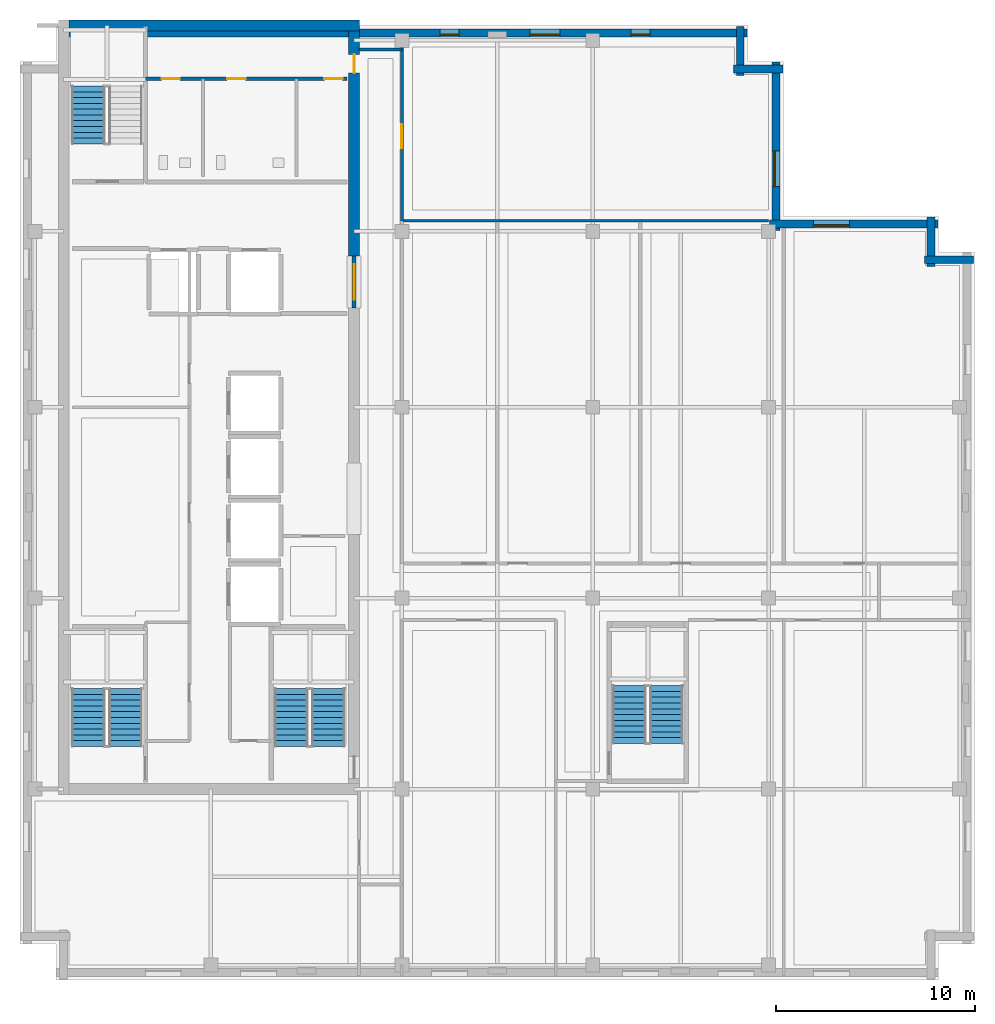
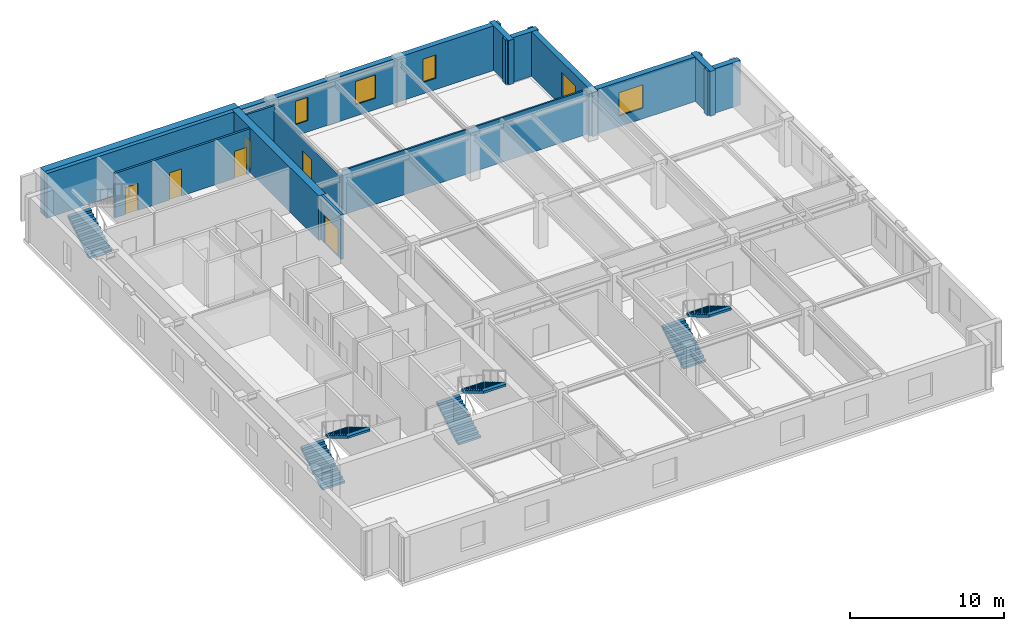
# One storey, part 6 of 11: 14 walls, 7 stair flights, 6 doors, 5 windows, 11 openings, 4 elements without a shape of their own.
"""IFC4 building model written with IfcOpenShell, lengths in metres."""

from ifc_helpers import new_model, si_unit, direction, frame, frame_2d, origin, place, context, subcontext, project, spatial, polyline, rectangle, outline, extrude, material, layer, layer_set, type_object, element, fill, aggregate, save


model = new_model("IFC4")

# Units and contexts
model_context = context("Model", 3, precision=1e-05, world=origin(), true_north=direction((0.0, 1.0)))
body_context = subcontext(model_context, "Body", "Model", "MODEL_VIEW")
ifc_project = project(units=[si_unit("LENGTHUNIT", "METRE"), si_unit("AREAUNIT", "SQUARE_METRE"), si_unit("VOLUMEUNIT", "CUBIC_METRE"), si_unit("PLANEANGLEUNIT", "RADIAN"), si_unit("MASSUNIT", "GRAM", prefix="KILO")], contexts=[model_context])

# Site, building, storey
site_placement = place(None, origin())
site = spatial("IfcSite", under=ifc_project, at=site_placement, CompositionType="ELEMENT")
building_placement = place(site_placement, origin())
building = spatial("IfcBuilding", under=site, at=building_placement, Name="Norrvale University Quadrangle", CompositionType="ELEMENT")
storey_placement = place(building_placement, frame((0.0, 0.0, 284.800048828125)))
storey = spatial("IfcBuildingStorey", under=building, at=storey_placement, Name="L72", CompositionType="ELEMENT", Elevation=284.800048828125)

# Wall
ifc_material_1 = material(Name="Concrete C60/75", Category="concrete")
ifc_layer_1 = layer(ifc_material_1, 0.550048828125, Name="Concrete C60/75")
ifc_layer_set_1 = layer_set([ifc_layer_1], Name="Concrete C60/75")
wall_type_1 = type_object("IfcWallType", Name="Wall Core 550", PredefinedType="SHEAR", material=ifc_layer_set_1)
wall_1_placement = place(storey_placement, frame((2.47509765625, 48.0, 0.0), z_axis=(0.0, 0.0, 1.0), x_axis=(1.0, 0.0, 0.0)))
element("IfcWall", 1, at=wall_1_placement, inside=storey, type_object=wall_type_1, Name="Tower Core Shear Wall L72-N", PredefinedType="SHEAR", context=body_context, shape_type="SweptSolid", body=[
    extrude(rectangle(XDim=14.599853515625, YDim=0.550048828125, at=frame_2d((7.2998046875, 0.0))), origin(), (0.0, 0.0, 1.0), 3.5400390625),
])

# Wall, opening, door
wall_2_placement = place(storey_placement, frame((16.800048828125, 36.39990234375, 0.0), z_axis=(0.0, 0.0, 1.0), x_axis=(0.0, 1.0, 0.0)))
wall_2 = element("IfcWall", 2, at=wall_2_placement, inside=storey, type_object=wall_type_1, Name="Tower Core Shear Wall L72-E3", PredefinedType="SHEAR", context=body_context, shape_type="SweptSolid", body=[
    extrude(rectangle(XDim=11.3251953125, YDim=0.550048828125, at=frame_2d((5.66259765625, 0.0))), origin(), (0.0, 0.0, 1.0), 3.5400390625),
])
opening_1_placement = place(wall_2_placement, frame((9.199951171875, 0.0, 0.0)))
opening_1 = element("IfcOpeningElement", 3, at=opening_1_placement, cuts=wall_2, Name="Opening D07", PredefinedType="OPENING", context=body_context, shape_type="SweptSolid", body=[
    extrude(rectangle(XDim=0.949951171875, YDim=2.14990234375, at=frame_2d((0.47509765625, 1.074951171875))), frame((0.0, 0.287109375, 0.0), z_axis=(0.0, -1.0, 0.0), x_axis=(1.0, 0.0, 0.0)), (0.0, 0.0, 1.0), 0.573974609375),
])
ifc_material_2 = material(Name="Solid-Core Maple Door", Category="wood")
door_type_1 = type_object("IfcDoorType", Name="Door Office 950x2150", OperationType="NOTDEFINED", PredefinedType="DOOR", material=ifc_material_2)
door_1_placement = place(opening_1_placement, origin())
door_1 = element("IfcDoor", 4, at=door_1_placement, inside=storey, type_object=door_type_1, Name="Door Office 950x2150 DR-L72-NECORR", OperationType="SINGLE_SWING_LEFT", OverallHeight=2.14990234375, OverallWidth=0.949951171875, PredefinedType="DOOR", context=body_context, shape_type="SweptSolid", body=[
    extrude(rectangle(XDim=0.949951171875, YDim=2.14990234375, at=frame_2d((0.47509765625, 1.074951171875))), frame((0.0, 0.02490234375, 0.0), z_axis=(0.0, -1.0, 0.0), x_axis=(1.0, 0.0, 0.0)), (0.0, 0.0, 1.0), 0.050048828125),
])
fill(opening_1, door_1)

# Walls
ifc_material_3 = material(Name="Standard Academic Gypsum Partition")
ifc_layer_2 = layer(ifc_material_3, 0.125, Name="Standard Academic Gypsum Partition")
ifc_layer_set_2 = layer_set([ifc_layer_2], Name="Standard Academic Gypsum Partition")
wall_type_2 = type_object("IfcWallType", Name="Wall Gypsum Academic 125", PredefinedType="PARTITIONING", material=ifc_layer_set_2)
wall_3_placement = place(storey_placement, frame((19.280029296875, 38.179931640625, 0.0), z_axis=(0.0, 0.0, 1.0), x_axis=(1.0, 0.0, 0.0)))
element("IfcWall", 5, at=wall_3_placement, inside=storey, type_object=wall_type_2, Name="Interior Partition WL-L72-ME-N", PredefinedType="PARTITIONING", context=body_context, shape_type="SweptSolid", body=[
    extrude(rectangle(XDim=18.369873046875, YDim=0.125, at=frame_2d((9.18505859375, 0.0))), origin(), (0.0, 0.0, 1.0), 3.5400390625),
])
ifc_material_4 = material(Name="Fire-Rated Gypsum Stud Partition")
ifc_layer_3 = layer(ifc_material_4, 0.14990234375, Name="Fire-Rated Gypsum Stud Partition")
ifc_layer_set_3 = layer_set([ifc_layer_3], Name="Fire-Rated Gypsum Stud Partition")
wall_type_3 = type_object("IfcWallType", Name="Wall Gypsum Corridor 150", PredefinedType="PARTITIONING", material=ifc_layer_set_3)
wall_4_placement = place(storey_placement, frame((17.050048828125, 46.800048828125, 0.0), z_axis=(0.0, 0.0, 1.0), x_axis=(1.0, 0.0, 0.0)))
element("IfcWall", 6, at=wall_4_placement, inside=storey, type_object=wall_type_3, Name="Interior Partition WL-L72-CSP-N", PredefinedType="PARTITIONING", context=body_context, shape_type="SweptSolid", body=[
    extrude(rectangle(XDim=2.14990234375, YDim=0.14990234375, at=frame_2d((1.074951171875, 0.0))), origin(), (0.0, 0.0, 1.0), 3.5400390625),
])

# Wall, opening, door
wall_5_placement = place(storey_placement, frame((19.199951171875, 38.179931640625, 0.0), z_axis=(0.0, 0.0, 1.0), x_axis=(0.0, 1.0, 0.0)))
wall_5 = element("IfcWall", 7, at=wall_5_placement, inside=storey, type_object=wall_type_3, Name="Interior Partition WL-L72-NECW", PredefinedType="PARTITIONING", context=body_context, shape_type="SweptSolid", body=[
    extrude(rectangle(XDim=9.27001953125, YDim=0.14990234375, at=frame_2d((4.635009765625, 0.0))), origin(), (0.0, 0.0, 1.0), 3.123046875),
])
opening_2_placement = place(wall_5_placement, frame((3.64990234375, 0.0, 0.0)))
opening_2 = element("IfcOpeningElement", 8, at=opening_2_placement, cuts=wall_5, Name="Opening D05", PredefinedType="OPENING", context=body_context, shape_type="SweptSolid", body=[
    extrude(rectangle(XDim=1.199951171875, YDim=2.199951171875, at=frame_2d((0.60009765625, 1.10009765625))), frame((0.0, 0.0869140625, 0.0), z_axis=(0.0, -1.0, 0.0), x_axis=(1.0, 0.0, 0.0)), (0.0, 0.0, 1.0), 0.173828125),
])
ifc_material_5 = material(Name="Acoustic Oak Classroom Door", Category="wood")
door_type_2 = type_object("IfcDoorType", Name="Door Classroom 1200x2200", OperationType="NOTDEFINED", PredefinedType="DOOR", material=ifc_material_5)
door_2_placement = place(opening_2_placement, origin())
door_2 = element("IfcDoor", 9, at=door_2_placement, inside=storey, type_object=door_type_2, Name="Door Classroom 1200x2200 DR-L72-NE01", OperationType="SINGLE_SWING_RIGHT", OverallHeight=2.199951171875, OverallWidth=1.199951171875, PredefinedType="DOOR", context=body_context, shape_type="SweptSolid", body=[
    extrude(rectangle(XDim=1.199951171875, YDim=2.199951171875, at=frame_2d((0.60009765625, 1.10009765625))), frame((0.0, 0.02490234375, 0.0), z_axis=(0.0, -1.0, 0.0), x_axis=(1.0, 0.0, 0.0)), (0.0, 0.0, 1.0), 0.050048828125),
])
fill(opening_2, door_2)

# Wall, openings, doors
ifc_material_6 = material(Name="Sanitary Chase Gypsum Partition")
ifc_layer_4 = layer(ifc_material_6, 0.1650390625, Name="Sanitary Chase Gypsum Partition")
ifc_layer_set_4 = layer_set([ifc_layer_4], Name="Sanitary Chase Gypsum Partition")
wall_type_4 = type_object("IfcWallType", Name="Wall Gypsum Sanitary 165", PredefinedType="PLUMBINGWALL", material=ifc_layer_set_4)
wall_6_placement = place(storey_placement, frame((6.320068359375, 45.320068359375, 0.0), z_axis=(0.0, 0.0, 1.0), x_axis=(1.0, 0.0, 0.0)))
wall_6 = element("IfcWall", 10, at=wall_6_placement, inside=storey, type_object=wall_type_4, Name="Interior Partition WL-L72-WCN", PredefinedType="PLUMBINGWALL", context=body_context, shape_type="SweptSolid", body=[
    extrude(rectangle(XDim=10.1298828125, YDim=0.1650390625, at=frame_2d((5.06494140625, 0.0))), origin(), (0.0, 0.0, 1.0), 3.5400390625),
])
opening_3_placement = place(wall_6_placement, frame((0.800048828125, 0.0, 0.0)))
opening_3 = element("IfcOpeningElement", 11, at=opening_3_placement, cuts=wall_6, Name="Opening D08", PredefinedType="OPENING", context=body_context, shape_type="SweptSolid", body=[
    extrude(rectangle(XDim=0.919921875, YDim=2.14990234375, at=frame_2d((0.4599609375, 1.074951171875))), frame((0.0, 0.094482421875, 0.0), z_axis=(0.0, -1.0, 0.0), x_axis=(1.0, 0.0, 0.0)), (0.0, 0.0, 1.0), 0.18896484375),
])
opening_4_placement = place(wall_6_placement, frame((4.10009765625, 0.0, 0.0)))
opening_4 = element("IfcOpeningElement", 12, at=opening_4_placement, cuts=wall_6, Name="Opening D08", PredefinedType="OPENING", context=body_context, shape_type="SweptSolid", body=[
    extrude(rectangle(XDim=0.919921875, YDim=2.14990234375, at=frame_2d((0.4599609375, 1.074951171875))), frame((0.0, 0.094482421875, 0.0), z_axis=(0.0, -1.0, 0.0), x_axis=(1.0, 0.0, 0.0)), (0.0, 0.0, 1.0), 0.18896484375),
])
opening_5_placement = place(wall_6_placement, frame((8.97998046875, 0.0, 0.0)))
opening_5 = element("IfcOpeningElement", 13, at=opening_5_placement, cuts=wall_6, Name="Opening D08", PredefinedType="OPENING", context=body_context, shape_type="SweptSolid", body=[
    extrude(rectangle(XDim=0.919921875, YDim=2.14990234375, at=frame_2d((0.4599609375, 1.074951171875))), frame((0.0, 0.094482421875, 0.0), z_axis=(0.0, -1.0, 0.0), x_axis=(1.0, 0.0, 0.0)), (0.0, 0.0, 1.0), 0.18896484375),
])
ifc_material_7 = material(Name="Laminate Washroom Door", Category="wood")
door_type_3 = type_object("IfcDoorType", Name="Door Washroom 920x2150", OperationType="NOTDEFINED", PredefinedType="DOOR", material=ifc_material_7)
door_3_placement = place(opening_3_placement, origin())
door_3 = element("IfcDoor", 14, at=door_3_placement, inside=storey, type_object=door_type_3, Name="Door Washroom 920x2150 DR-L72-WC1", OperationType="SINGLE_SWING_LEFT", OverallHeight=2.14990234375, OverallWidth=0.919921875, PredefinedType="DOOR", context=body_context, shape_type="SweptSolid", body=[
    extrude(rectangle(XDim=0.919921875, YDim=2.14990234375, at=frame_2d((0.4599609375, 1.074951171875))), frame((0.0, 0.02490234375, 0.0), z_axis=(0.0, -1.0, 0.0), x_axis=(1.0, 0.0, 0.0)), (0.0, 0.0, 1.0), 0.050048828125),
])
fill(opening_3, door_3)
door_4_placement = place(opening_4_placement, origin())
door_4 = element("IfcDoor", 15, at=door_4_placement, inside=storey, type_object=door_type_3, Name="Door Washroom 920x2150 DR-L72-WC2", OperationType="SINGLE_SWING_RIGHT", OverallHeight=2.14990234375, OverallWidth=0.919921875, PredefinedType="DOOR", context=body_context, shape_type="SweptSolid", body=[
    extrude(rectangle(XDim=0.919921875, YDim=2.14990234375, at=frame_2d((0.4599609375, 1.074951171875))), frame((0.0, 0.02490234375, 0.0), z_axis=(0.0, -1.0, 0.0), x_axis=(1.0, 0.0, 0.0)), (0.0, 0.0, 1.0), 0.050048828125),
])
fill(opening_4, door_4)
door_5_placement = place(opening_5_placement, origin())
door_5 = element("IfcDoor", 16, at=door_5_placement, inside=storey, type_object=door_type_3, Name="Door Washroom 920x2150 DR-L72-WC3", OperationType="SINGLE_SWING_LEFT", OverallHeight=2.14990234375, OverallWidth=0.919921875, PredefinedType="DOOR", context=body_context, shape_type="SweptSolid", body=[
    extrude(rectangle(XDim=0.919921875, YDim=2.14990234375, at=frame_2d((0.4599609375, 1.074951171875))), frame((0.0, 0.02490234375, 0.0), z_axis=(0.0, -1.0, 0.0), x_axis=(1.0, 0.0, 0.0)), (0.0, 0.0, 1.0), 0.050048828125),
])
fill(opening_5, door_5)

# Wall, opening, door
ifc_material_8 = material(Name="Concrete Blockwork 20 MPa Rated Wall", Category="masonry")
ifc_layer_5 = layer(ifc_material_8, 0.199951171875, Name="Concrete Blockwork 20 MPa Rated Wall")
ifc_layer_set_5 = layer_set([ifc_layer_5], Name="Concrete Blockwork 20 MPa Rated Wall")
wall_type_5 = type_object("IfcWallType", Name="Wall Lobby 200", PredefinedType="SOLIDWALL", material=ifc_layer_set_5)
wall_7_placement = place(storey_placement, frame((16.800048828125, 33.800048828125, 0.0), z_axis=(0.0, 0.0, 1.0), x_axis=(0.0, 1.0, 0.0)))
wall_7 = element("IfcWall", 17, at=wall_7_placement, inside=storey, type_object=wall_type_5, Name="Interior Partition WL-L72-FFP", PredefinedType="SOLIDWALL", context=body_context, shape_type="SweptSolid", body=[
    extrude(rectangle(XDim=2.599853515625, YDim=0.199951171875, at=frame_2d((1.2998046875, 0.0))), origin(), (0.0, 0.0, 1.0), 3.5400390625),
])
opening_6_placement = place(wall_7_placement, frame((0.39990234375, 0.0, 0.0)))
opening_6 = element("IfcOpeningElement", 18, at=opening_6_placement, cuts=wall_7, Name="Opening D03", PredefinedType="OPENING", context=body_context, shape_type="SweptSolid", body=[
    extrude(rectangle(XDim=1.800048828125, YDim=2.199951171875, at=frame_2d((0.89990234375, 1.10009765625))), frame((0.0, 0.112060546875, 0.0), z_axis=(0.0, -1.0, 0.0), x_axis=(1.0, 0.0, 0.0)), (0.0, 0.0, 1.0), 0.223876953125),
])
ifc_material_9 = material(Name="Hollow Steel 350W Fire Door", Category="steel")
door_type_4 = type_object("IfcDoorType", Name="Door Fire Lobby 1800x2200", OperationType="DOUBLE_DOOR_SINGLE_SWING", PredefinedType="DOOR", material=ifc_material_9)
door_6_placement = place(opening_6_placement, origin())
door_6 = element("IfcDoor", 19, at=door_6_placement, inside=storey, type_object=door_type_4, Name="Door Fire Lobby 1800x2200 DR-L72-FFP", OperationType="DOUBLE_DOOR_SINGLE_SWING", OverallHeight=2.199951171875, OverallWidth=1.800048828125, PredefinedType="DOOR", context=body_context, shape_type="SweptSolid", body=[
    extrude(rectangle(XDim=1.800048828125, YDim=2.199951171875, at=frame_2d((0.89990234375, 1.10009765625))), frame((0.0, 0.02490234375, 0.0), z_axis=(0.0, -1.0, 0.0), x_axis=(1.0, 0.0, 0.0)), (0.0, 0.0, 1.0), 0.050048828125),
])
fill(opening_6, door_6)

# Walls
ifc_material_10 = material(Name="Red Manganese Brick Masonry", Category="masonry")
ifc_layer_6 = layer(ifc_material_10, 0.39990234375, Name="Red Manganese Brick Masonry")
ifc_layer_set_6 = layer_set([ifc_layer_6], Name="Red Manganese Brick Masonry")
wall_type_6 = type_object("IfcWallType", Name="Wall Red Brick 400", PredefinedType="SOLIDWALL", material=ifc_layer_set_6)
wall_8_placement = place(storey_placement, frame((47.9599609375, 36.219970703125, 0.0), z_axis=(0.0, 0.0, 1.0), x_axis=(-1.0, 0.0, 0.0)))
element("IfcWall", 20, at=wall_8_placement, inside=storey, type_object=wall_type_6, Name="Exterior Brick Facade Wall L72-05.1", PredefinedType="SOLIDWALL", context=body_context, shape_type="SweptSolid", body=[
    extrude(rectangle(XDim=2.47998046875, YDim=0.39990234375, at=frame_2d((1.239990234375, 0.0))), origin(), (0.0, 0.0, 1.0), 3.5400390625),
])
wall_9_placement = place(storey_placement, frame((45.820068359375, 35.8798828125, 0.0), z_axis=(0.0, 0.0, 1.0), x_axis=(0.0, 1.0, 0.0)))
element("IfcWall", 21, at=wall_9_placement, inside=storey, type_object=wall_type_6, Name="Exterior Brick Facade Wall L72-06.1", PredefinedType="SOLIDWALL", context=body_context, shape_type="SweptSolid", body=[
    extrude(rectangle(XDim=2.480224609375, YDim=0.39990234375, at=frame_2d((1.240234375, 0.0))), origin(), (0.0, 0.0, 1.0), 3.5400390625),
])

# Wall, opening, window
wall_10_placement = place(storey_placement, frame((46.159912109375, 38.02001953125, 0.0), z_axis=(0.0, 0.0, 1.0), x_axis=(-1.0, 0.0, 0.0)))
wall_10 = element("IfcWall", 22, at=wall_10_placement, inside=storey, type_object=wall_type_6, Name="Exterior Brick Facade Wall L72-07.1", PredefinedType="SOLIDWALL", context=body_context, shape_type="SweptSolid", body=[
    extrude(rectangle(XDim=8.47998046875, YDim=0.39990234375, at=frame_2d((4.239990234375, 0.0))), origin(), (0.0, 0.0, 1.0), 3.5400390625),
])
opening_7_placement = place(wall_10_placement, frame((4.4599609375, 0.0, 0.85009765625)))
opening_7 = element("IfcOpeningElement", 23, at=opening_7_placement, cuts=wall_10, Name="Opening W01", PredefinedType="OPENING", context=body_context, shape_type="SweptSolid", body=[
    extrude(rectangle(XDim=1.800048828125, YDim=1.85009765625, at=frame_2d((0.89990234375, 0.925048828125))), frame((0.0, 0.2119140625, 0.0), z_axis=(0.0, -1.0, 0.0), x_axis=(1.0, 0.0, 0.0)), (0.0, 0.0, 1.0), 0.423828125),
])
ifc_material_11 = material(Name="Triple Low-E Argon Glazing", Category="glass")
window_type_1 = type_object("IfcWindowType", Name="Window Academic 1800x2300", PartitioningType="DOUBLE_PANEL_VERTICAL", PredefinedType="WINDOW", material=ifc_material_11)
window_1_placement = place(opening_7_placement, origin())
window_1 = element("IfcWindow", 24, at=window_1_placement, inside=storey, type_object=window_type_1, Name="Window Academic 1800x2300 WIN-L72-E07-1-01", OverallHeight=1.85009765625, OverallWidth=1.800048828125, PartitioningType="DOUBLE_PANEL_VERTICAL", PredefinedType="WINDOW", context=body_context, shape_type="SweptSolid", body=[
    extrude(rectangle(XDim=1.800048828125, YDim=1.85009765625, at=frame_2d((0.89990234375, 0.925048828125))), frame((0.0, 0.110107421875, 0.0), z_axis=(0.0, -1.0, 0.0), x_axis=(1.0, 0.0, 0.0)), (0.0, 0.0, 1.0), 0.06005859375),
])
fill(opening_7, window_1)

wall_11_placement = place(storey_placement, frame((38.02001953125, 37.679931640625, 0.0), z_axis=(0.0, 0.0, 1.0), x_axis=(0.0, 1.0, 0.0)))
wall_11 = element("IfcWall", 25, at=wall_11_placement, inside=storey, type_object=wall_type_6, Name="Exterior Brick Facade Wall L72-08.1", PredefinedType="SOLIDWALL", context=body_context, shape_type="SweptSolid", body=[
    extrude(rectangle(XDim=8.47998046875, YDim=0.39990234375, at=frame_2d((4.239990234375, 0.0))), origin(), (0.0, 0.0, 1.0), 3.5400390625),
])
opening_8_placement = place(wall_11_placement, frame((2.219970703125, 0.0, 0.85009765625)))
opening_8 = element("IfcOpeningElement", 26, at=opening_8_placement, cuts=wall_11, Name="Opening W01", PredefinedType="OPENING", context=body_context, shape_type="SweptSolid", body=[
    extrude(rectangle(XDim=1.800048828125, YDim=1.85009765625, at=frame_2d((0.89990234375, 0.925048828125))), frame((0.0, 0.2119140625, 0.0), z_axis=(0.0, -1.0, 0.0), x_axis=(1.0, 0.0, 0.0)), (0.0, 0.0, 1.0), 0.423828125),
])
window_2_placement = place(opening_8_placement, origin())
window_2 = element("IfcWindow", 27, at=window_2_placement, inside=storey, type_object=window_type_1, Name="Window Academic 1800x2300 WIN-L72-E08-1-01", OverallHeight=1.85009765625, OverallWidth=1.800048828125, PartitioningType="DOUBLE_PANEL_VERTICAL", PredefinedType="WINDOW", context=body_context, shape_type="SweptSolid", body=[
    extrude(rectangle(XDim=1.800048828125, YDim=1.85009765625, at=frame_2d((0.89990234375, 0.925048828125))), frame((0.0, 0.110107421875, 0.0), z_axis=(0.0, -1.0, 0.0), x_axis=(1.0, 0.0, 0.0)), (0.0, 0.0, 1.0), 0.06005859375),
])
fill(opening_8, window_2)

# Walls
wall_12_placement = place(storey_placement, frame((38.360107421875, 45.820068359375, 0.0), z_axis=(0.0, 0.0, 1.0), x_axis=(-1.0, 0.0, 0.0)))
element("IfcWall", 28, at=wall_12_placement, inside=storey, type_object=wall_type_6, Name="Exterior Brick Facade Wall L72-09.1", PredefinedType="SOLIDWALL", context=body_context, shape_type="SweptSolid", body=[
    extrude(rectangle(XDim=2.480224609375, YDim=0.39990234375, at=frame_2d((1.240234375, 0.0))), origin(), (0.0, 0.0, 1.0), 3.5400390625),
])
wall_13_placement = place(storey_placement, frame((36.219970703125, 45.47998046875, 0.0), z_axis=(0.0, 0.0, 1.0), x_axis=(0.0, 1.0, 0.0)))
element("IfcWall", 29, at=wall_13_placement, inside=storey, type_object=wall_type_6, Name="Exterior Brick Facade Wall L72-10.1", PredefinedType="SOLIDWALL", context=body_context, shape_type="SweptSolid", body=[
    extrude(rectangle(XDim=2.47998046875, YDim=0.39990234375, at=frame_2d((1.239990234375, 0.0))), origin(), (0.0, 0.0, 1.0), 3.5400390625),
])

# Wall, openings, windows
wall_14_placement = place(storey_placement, frame((36.56005859375, 47.6201171875, 0.0), z_axis=(0.0, 0.0, 1.0), x_axis=(-1.0, 0.0, 0.0)))
wall_14 = element("IfcWall", 30, at=wall_14_placement, inside=storey, type_object=wall_type_6, Name="Exterior Brick Facade Wall L72-11.1", PredefinedType="SOLIDWALL", context=body_context, shape_type="SweptSolid", body=[
    extrude(rectangle(XDim=34.0849609375, YDim=0.39990234375, at=frame_2d((17.04248046875, 0.0))), origin(), (0.0, 0.0, 1.0), 3.5400390625),
])
opening_9_placement = place(wall_14_placement, frame((4.885009765625, 0.0, 0.89990234375)))
opening_9 = element("IfcOpeningElement", 31, at=opening_9_placement, cuts=wall_14, Name="Opening W04", PredefinedType="OPENING", context=body_context, shape_type="SweptSolid", body=[
    extrude(rectangle(XDim=0.949951171875, YDim=1.85009765625, at=frame_2d((0.47509765625, 0.925048828125))), frame((0.0, 0.2119140625, 0.0), z_axis=(0.0, -1.0, 0.0), x_axis=(1.0, 0.0, 0.0)), (0.0, 0.0, 1.0), 0.423828125),
])
opening_10_placement = place(wall_14_placement, frame((9.409912109375, 0.0, 0.89990234375)))
opening_10 = element("IfcOpeningElement", 32, at=opening_10_placement, cuts=wall_14, Name="Opening W03", PredefinedType="OPENING", context=body_context, shape_type="SweptSolid", body=[
    extrude(rectangle(XDim=1.5, YDim=1.85009765625, at=frame_2d((0.75, 0.925048828125))), frame((0.0, 0.2119140625, 0.0), z_axis=(0.0, -1.0, 0.0), x_axis=(1.0, 0.0, 0.0)), (0.0, 0.0, 1.0), 0.423828125),
])
opening_11_placement = place(wall_14_placement, frame((14.485107421875, 0.0, 0.89990234375)))
opening_11 = element("IfcOpeningElement", 33, at=opening_11_placement, cuts=wall_14, Name="Opening W04", PredefinedType="OPENING", context=body_context, shape_type="SweptSolid", body=[
    extrude(rectangle(XDim=0.949951171875, YDim=1.85009765625, at=frame_2d((0.47509765625, 0.925048828125))), frame((0.0, 0.2119140625, 0.0), z_axis=(0.0, -1.0, 0.0), x_axis=(1.0, 0.0, 0.0)), (0.0, 0.0, 1.0), 0.423828125),
])
window_type_2 = type_object("IfcWindowType", Name="Window Narrow Pier 950x2300", PartitioningType="SINGLE_PANEL", PredefinedType="WINDOW", material=ifc_material_11)
window_3_placement = place(opening_9_placement, origin())
window_3 = element("IfcWindow", 34, at=window_3_placement, inside=storey, type_object=window_type_2, Name="Window Narrow Pier 950x2300 WIN-L72-E11-1-01", OverallHeight=1.85009765625, OverallWidth=0.949951171875, PartitioningType="SINGLE_PANEL", PredefinedType="WINDOW", context=body_context, shape_type="SweptSolid", body=[
    extrude(rectangle(XDim=0.949951171875, YDim=1.85009765625, at=frame_2d((0.47509765625, 0.925048828125))), frame((0.0, 0.110107421875, 0.0), z_axis=(0.0, -1.0, 0.0), x_axis=(1.0, 0.0, 0.0)), (0.0, 0.0, 1.0), 0.06005859375),
])
fill(opening_9, window_3)
window_4_placement = place(opening_11_placement, origin())
window_4 = element("IfcWindow", 35, at=window_4_placement, inside=storey, type_object=window_type_2, Name="Window Narrow Pier 950x2300 WIN-L72-E11-1-03", OverallHeight=1.85009765625, OverallWidth=0.949951171875, PartitioningType="SINGLE_PANEL", PredefinedType="WINDOW", context=body_context, shape_type="SweptSolid", body=[
    extrude(rectangle(XDim=0.949951171875, YDim=1.85009765625, at=frame_2d((0.47509765625, 0.925048828125))), frame((0.0, 0.110107421875, 0.0), z_axis=(0.0, -1.0, 0.0), x_axis=(1.0, 0.0, 0.0)), (0.0, 0.0, 1.0), 0.06005859375),
])
fill(opening_11, window_4)
window_type_3 = type_object("IfcWindowType", Name="Window Studio 1500x2300", PartitioningType="DOUBLE_PANEL_VERTICAL", PredefinedType="WINDOW", material=ifc_material_11)
window_5_placement = place(opening_10_placement, origin())
window_5 = element("IfcWindow", 36, at=window_5_placement, inside=storey, type_object=window_type_3, Name="Window Studio 1500x2300 WIN-L72-E11-1-02", OverallHeight=1.85009765625, OverallWidth=1.5, PartitioningType="DOUBLE_PANEL_VERTICAL", PredefinedType="WINDOW", context=body_context, shape_type="SweptSolid", body=[
    extrude(rectangle(XDim=1.5, YDim=1.85009765625, at=frame_2d((0.75, 0.925048828125))), frame((0.0, 0.110107421875, 0.0), z_axis=(0.0, -1.0, 0.0), x_axis=(1.0, 0.0, 0.0)), (0.0, 0.0, 1.0), 0.06005859375),
])
fill(opening_10, window_5)

# Stair, stair flights
ifc_material_12 = material(Name="Concrete C40/50", Category="concrete")
stair_type = type_object("IfcStairType", Name="Stair Tower Typ 3800", PredefinedType="TWO_STRAIGHT_RUN_STAIR", material=ifc_material_12)
stair_1_placement = place(storey_placement, origin())
stair_1 = element("IfcStair", 37, at=stair_1_placement, inside=storey, type_object=stair_type, Name="Exit Stair ST-01 L72", PredefinedType="TWO_STRAIGHT_RUN_STAIR")
stair_flight_type = type_object("IfcStairFlightType", Name="Flight Typ 1500", PredefinedType="STRAIGHT", material=ifc_material_12)
stair_flight_1_placement = place(storey_placement, frame((3.429931640625, 11.75, 0.0), z_axis=(0.0, 0.0, 1.0), x_axis=(0.0, 1.0, 0.0)))
stair_flight_1 = element("IfcStairFlight", 38, at=stair_flight_1_placement, type_object=stair_flight_type, Name="Exit Stair ST-01 L72 Lower Flight", NumberOfRisers=11, NumberOfTreads=10, PredefinedType="STRAIGHT", RiserHeight=0.172727, TreadLength=0.29, context=body_context, shape_type="SweptSolid", body=[
    extrude(outline(polyline([(0.0, 0.0), (0.0, 0.172607421875), (0.2900390625, 0.172607421875), (0.2900390625, 0.345458984375), (0.580078125, 0.345458984375), (0.580078125, 0.51806640625), (0.8701171875, 0.51806640625), (0.8701171875, 0.69091796875), (1.159912109375, 0.69091796875), (1.159912109375, 0.863525390625), (1.449951171875, 0.863525390625), (1.449951171875, 1.036376953125), (1.739990234375, 1.036376953125), (1.739990234375, 1.208984375), (2.030029296875, 1.208984375), (2.030029296875, 1.3818359375), (2.320068359375, 1.3818359375), (2.320068359375, 1.554443359375), (2.610107421875, 1.554443359375), (2.610107421875, 1.727294921875), (2.89990234375, 1.727294921875), (2.89990234375, 1.89990234375), (2.89990234375, 1.552734375), (0.29296875, 0.0), (0.0, 0.0)])), frame((0.0, 0.83984375, 0.0), z_axis=(0.0, -1.0, 0.0), x_axis=(1.0, 0.0, 0.0)), (0.0, 0.0, 1.0), 1.679931640625),
])
stair_flight_2_placement = place(storey_placement, frame((5.320068359375, 14.64990234375, 1.89990234375), z_axis=(0.0, 0.0, 1.0), x_axis=(0.0, -1.0, 0.0)))
stair_flight_2 = element("IfcStairFlight", 39, at=stair_flight_2_placement, type_object=stair_flight_type, Name="Exit Stair ST-01 L72 Upper Flight", NumberOfRisers=11, NumberOfTreads=10, PredefinedType="STRAIGHT", RiserHeight=0.172727, TreadLength=0.29, context=body_context, shape_type="SweptSolid", body=[
    extrude(outline(polyline([(0.0, 0.0), (0.0, 0.172607421875), (0.2900390625, 0.172607421875), (0.2900390625, 0.345458984375), (0.580078125, 0.345458984375), (0.580078125, 0.51806640625), (0.8701171875, 0.51806640625), (0.8701171875, 0.69091796875), (1.159912109375, 0.69091796875), (1.159912109375, 0.863525390625), (1.449951171875, 0.863525390625), (1.449951171875, 1.036376953125), (1.739990234375, 1.036376953125), (1.739990234375, 1.208984375), (2.030029296875, 1.208984375), (2.030029296875, 1.3818359375), (2.320068359375, 1.3818359375), (2.320068359375, 1.554443359375), (2.610107421875, 1.554443359375), (2.610107421875, 1.727294921875), (2.89990234375, 1.727294921875), (2.89990234375, 1.89990234375), (2.89990234375, 1.552734375), (0.29296875, 0.0), (0.0, 0.0)])), frame((0.0, 0.83984375, 0.0), z_axis=(0.0, -1.0, 0.0), x_axis=(1.0, 0.0, 0.0)), (0.0, 0.0, 1.0), 1.679931640625),
])
aggregate(stair_1, [stair_flight_1, stair_flight_2])

# Stair, stair flight
stair_2_placement = place(storey_placement, origin())
stair_2 = element("IfcStair", 40, at=stair_2_placement, inside=storey, type_object=stair_type, Name="Exit Stair ST-02 L72", PredefinedType="TWO_STRAIGHT_RUN_STAIR")
stair_flight_3_placement = place(storey_placement, frame((3.429931640625, 42.050048828125, 0.0), z_axis=(0.0, 0.0, 1.0), x_axis=(0.0, 1.0, 0.0)))
stair_flight_3 = element("IfcStairFlight", 41, at=stair_flight_3_placement, type_object=stair_flight_type, Name="Exit Stair ST-02 L72 Lower Flight", NumberOfRisers=11, NumberOfTreads=10, PredefinedType="STRAIGHT", RiserHeight=0.172727, TreadLength=0.29, context=body_context, shape_type="SweptSolid", body=[
    extrude(outline(polyline([(0.0, 0.0), (0.0, 0.172607421875), (0.2900390625, 0.172607421875), (0.2900390625, 0.345458984375), (0.580078125, 0.345458984375), (0.580078125, 0.51806640625), (0.8701171875, 0.51806640625), (0.8701171875, 0.69091796875), (1.159912109375, 0.69091796875), (1.159912109375, 0.863525390625), (1.449951171875, 0.863525390625), (1.449951171875, 1.036376953125), (1.739990234375, 1.036376953125), (1.739990234375, 1.208984375), (2.030029296875, 1.208984375), (2.030029296875, 1.3818359375), (2.320068359375, 1.3818359375), (2.320068359375, 1.554443359375), (2.610107421875, 1.554443359375), (2.610107421875, 1.727294921875), (2.89990234375, 1.727294921875), (2.89990234375, 1.89990234375), (2.89990234375, 1.552734375), (0.29296875, 0.0), (0.0, 0.0)])), frame((0.0, 0.83984375, 0.0), z_axis=(0.0, -1.0, 0.0), x_axis=(1.0, 0.0, 0.0)), (0.0, 0.0, 1.0), 1.679931640625),
])
aggregate(stair_2, [stair_flight_3])

# Stair, stair flights
stair_3_placement = place(storey_placement, origin())
stair_3 = element("IfcStair", 42, at=stair_3_placement, inside=storey, type_object=stair_type, Name="Exit Stair ST-03 L72", PredefinedType="TWO_STRAIGHT_RUN_STAIR")
stair_flight_4_placement = place(storey_placement, frame((13.6298828125, 11.75, 0.0), z_axis=(0.0, 0.0, 1.0), x_axis=(0.0, 1.0, 0.0)))
stair_flight_4 = element("IfcStairFlight", 43, at=stair_flight_4_placement, type_object=stair_flight_type, Name="Exit Stair ST-03 L72 Lower Flight", NumberOfRisers=11, NumberOfTreads=10, PredefinedType="STRAIGHT", RiserHeight=0.172727, TreadLength=0.29, context=body_context, shape_type="SweptSolid", body=[
    extrude(outline(polyline([(0.0, 0.0), (0.0, 0.172607421875), (0.2900390625, 0.172607421875), (0.2900390625, 0.345458984375), (0.580078125, 0.345458984375), (0.580078125, 0.51806640625), (0.8701171875, 0.51806640625), (0.8701171875, 0.69091796875), (1.159912109375, 0.69091796875), (1.159912109375, 0.863525390625), (1.449951171875, 0.863525390625), (1.449951171875, 1.036376953125), (1.739990234375, 1.036376953125), (1.739990234375, 1.208984375), (2.030029296875, 1.208984375), (2.030029296875, 1.3818359375), (2.320068359375, 1.3818359375), (2.320068359375, 1.554443359375), (2.610107421875, 1.554443359375), (2.610107421875, 1.727294921875), (2.89990234375, 1.727294921875), (2.89990234375, 1.89990234375), (2.89990234375, 1.552734375), (0.29296875, 0.0), (0.0, 0.0)])), frame((0.0, 0.83984375, 0.0), z_axis=(0.0, -1.0, 0.0), x_axis=(1.0, 0.0, 0.0)), (0.0, 0.0, 1.0), 1.679931640625),
])
stair_flight_5_placement = place(storey_placement, frame((15.52001953125, 14.64990234375, 1.89990234375), z_axis=(0.0, 0.0, 1.0), x_axis=(0.0, -1.0, 0.0)))
stair_flight_5 = element("IfcStairFlight", 44, at=stair_flight_5_placement, type_object=stair_flight_type, Name="Exit Stair ST-03 L72 Upper Flight", NumberOfRisers=11, NumberOfTreads=10, PredefinedType="STRAIGHT", RiserHeight=0.172727, TreadLength=0.29, context=body_context, shape_type="SweptSolid", body=[
    extrude(outline(polyline([(0.0, 0.0), (0.0, 0.172607421875), (0.2900390625, 0.172607421875), (0.2900390625, 0.345458984375), (0.580078125, 0.345458984375), (0.580078125, 0.51806640625), (0.8701171875, 0.51806640625), (0.8701171875, 0.69091796875), (1.159912109375, 0.69091796875), (1.159912109375, 0.863525390625), (1.449951171875, 0.863525390625), (1.449951171875, 1.036376953125), (1.739990234375, 1.036376953125), (1.739990234375, 1.208984375), (2.030029296875, 1.208984375), (2.030029296875, 1.3818359375), (2.320068359375, 1.3818359375), (2.320068359375, 1.554443359375), (2.610107421875, 1.554443359375), (2.610107421875, 1.727294921875), (2.89990234375, 1.727294921875), (2.89990234375, 1.89990234375), (2.89990234375, 1.552734375), (0.29296875, 0.0), (0.0, 0.0)])), frame((0.0, 0.83984375, 0.0), z_axis=(0.0, -1.0, 0.0), x_axis=(1.0, 0.0, 0.0)), (0.0, 0.0, 1.0), 1.679931640625),
])
aggregate(stair_3, [stair_flight_4, stair_flight_5])

stair_4_placement = place(storey_placement, origin())
stair_4 = element("IfcStair", 45, at=stair_4_placement, inside=storey, type_object=stair_type, Name="Exit Stair ST-04 L72", PredefinedType="TWO_STRAIGHT_RUN_STAIR")
stair_flight_6_placement = place(storey_placement, frame((30.6298828125, 11.89990234375, 0.0), z_axis=(0.0, 0.0, 1.0), x_axis=(0.0, 1.0, 0.0)))
stair_flight_6 = element("IfcStairFlight", 46, at=stair_flight_6_placement, type_object=stair_flight_type, Name="Exit Stair ST-04 L72 Lower Flight", NumberOfRisers=11, NumberOfTreads=10, PredefinedType="STRAIGHT", RiserHeight=0.172727, TreadLength=0.29, context=body_context, shape_type="SweptSolid", body=[
    extrude(outline(polyline([(0.0, 0.0), (0.0, 0.172607421875), (0.2900390625, 0.172607421875), (0.2900390625, 0.345458984375), (0.580078125, 0.345458984375), (0.580078125, 0.51806640625), (0.8701171875, 0.51806640625), (0.8701171875, 0.69091796875), (1.159912109375, 0.69091796875), (1.159912109375, 0.863525390625), (1.449951171875, 0.863525390625), (1.449951171875, 1.036376953125), (1.739990234375, 1.036376953125), (1.739990234375, 1.208984375), (2.030029296875, 1.208984375), (2.030029296875, 1.3818359375), (2.320068359375, 1.3818359375), (2.320068359375, 1.554443359375), (2.610107421875, 1.554443359375), (2.610107421875, 1.727294921875), (2.89990234375, 1.727294921875), (2.89990234375, 1.89990234375), (2.89990234375, 1.552734375), (0.29296875, 0.0), (0.0, 0.0)])), frame((0.0, 0.83984375, 0.0), z_axis=(0.0, -1.0, 0.0), x_axis=(1.0, 0.0, 0.0)), (0.0, 0.0, 1.0), 1.679931640625),
])
stair_flight_7_placement = place(storey_placement, frame((32.52001953125, 14.800048828125, 1.89990234375), z_axis=(0.0, 0.0, 1.0), x_axis=(0.0, -1.0, 0.0)))
stair_flight_7 = element("IfcStairFlight", 47, at=stair_flight_7_placement, type_object=stair_flight_type, Name="Exit Stair ST-04 L72 Upper Flight", NumberOfRisers=11, NumberOfTreads=10, PredefinedType="STRAIGHT", RiserHeight=0.172727, TreadLength=0.29, context=body_context, shape_type="SweptSolid", body=[
    extrude(outline(polyline([(0.0, 0.0), (0.0, 0.172607421875), (0.2900390625, 0.172607421875), (0.2900390625, 0.345458984375), (0.580078125, 0.345458984375), (0.580078125, 0.51806640625), (0.8701171875, 0.51806640625), (0.8701171875, 0.69091796875), (1.159912109375, 0.69091796875), (1.159912109375, 0.863525390625), (1.449951171875, 0.863525390625), (1.449951171875, 1.036376953125), (1.739990234375, 1.036376953125), (1.739990234375, 1.208984375), (2.030029296875, 1.208984375), (2.030029296875, 1.3818359375), (2.320068359375, 1.3818359375), (2.320068359375, 1.554443359375), (2.610107421875, 1.554443359375), (2.610107421875, 1.727294921875), (2.89990234375, 1.727294921875), (2.89990234375, 1.89990234375), (2.89990234375, 1.552734375), (0.29296875, 0.0), (0.0, 0.0)])), frame((0.0, 0.83984375, 0.0), z_axis=(0.0, -1.0, 0.0), x_axis=(1.0, 0.0, 0.0)), (0.0, 0.0, 1.0), 1.679931640625),
])
aggregate(stair_4, [stair_flight_6, stair_flight_7])

save(model, "model.ifc")
